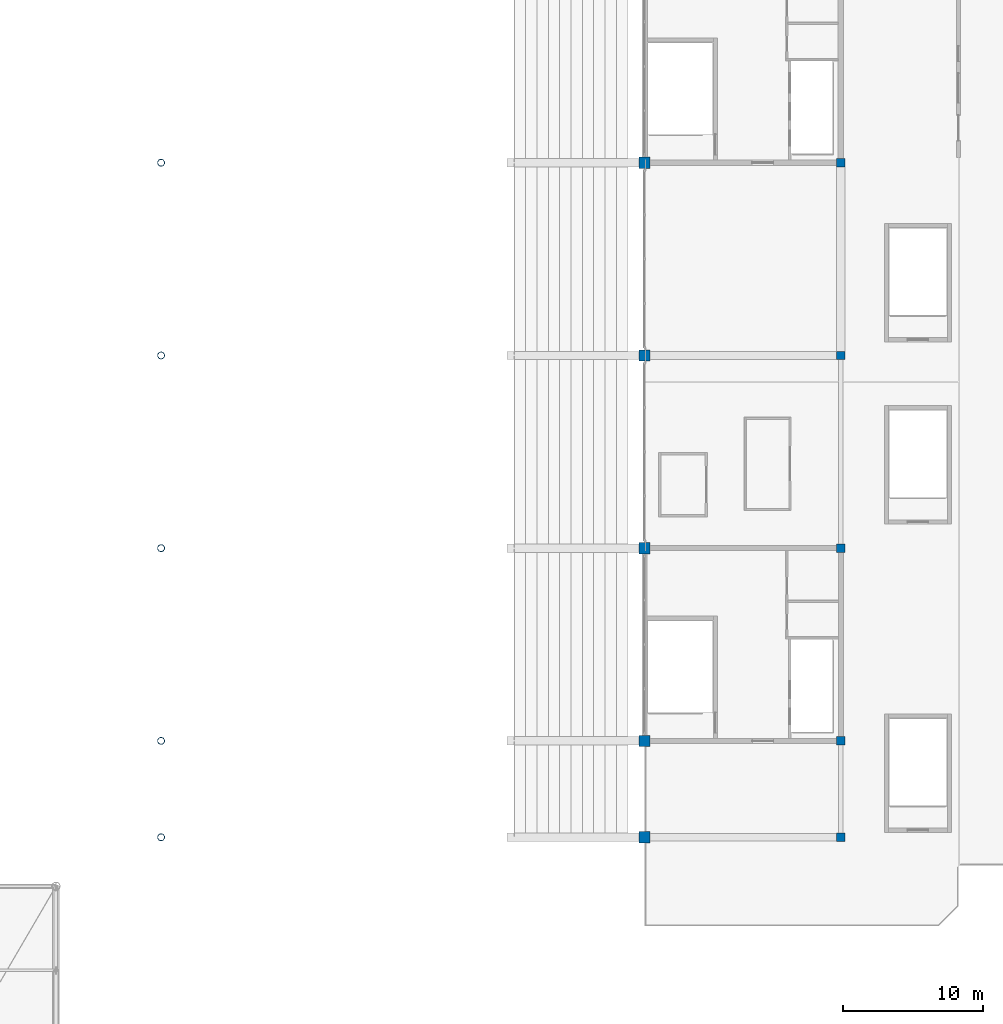
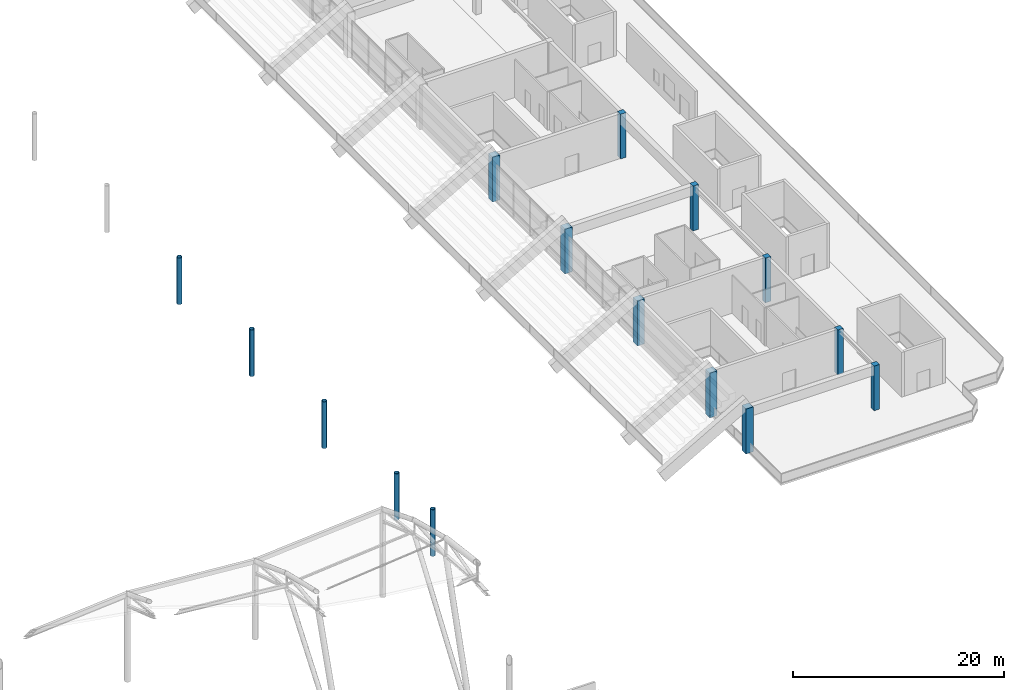
# One storey, part 6 of 90: 15 columns.
"""IFC4 building model written with IfcOpenShell, lengths in metres."""

from ifc_helpers import new_model, si_unit, direction, frame, origin, origin_2d, place, context, subcontext, project, spatial, rectangle, hollow_circle, extrude, material, material_profile, profile_set, type_object, element, save


model = new_model("IFC4")

# Units and contexts
model_context = context("Model", 3, precision=1e-05, world=origin(), true_north=direction((0.0, 1.0)))
body_context = subcontext(model_context, "Body", "Model", "MODEL_VIEW")
ifc_project = project(units=[si_unit("LENGTHUNIT", "METRE"), si_unit("AREAUNIT", "SQUARE_METRE"), si_unit("VOLUMEUNIT", "CUBIC_METRE"), si_unit("PLANEANGLEUNIT", "RADIAN"), si_unit("MASSUNIT", "GRAM", prefix="KILO")], contexts=[model_context])

# Site, building, storey
site_placement = place(None, origin())
site = spatial("IfcSite", under=ifc_project, at=site_placement, CompositionType="ELEMENT")
building_placement = place(site_placement, origin())
building = spatial("IfcBuilding", under=site, at=building_placement, Name="Linyun Crest Stadium", CompositionType="ELEMENT")
storey_placement = place(building_placement, frame((0.0, 0.0, 21.0)))
storey = spatial("IfcBuildingStorey", under=building, at=storey_placement, Name="L05", CompositionType="ELEMENT", Elevation=21.0)

# Columns
ifc_material_1 = material(Name="Concrete C50", Category="concrete")
ifc_material_profile_1 = material_profile(ifc_material_1, rectangle(XDim=0.60009765625, YDim=0.60009765625, at=origin_2d()), Name="RC 600x600")
ifc_profile_set_1 = profile_set([ifc_material_profile_1], Name="Concrete C50")
column_type_1 = type_object("IfcColumnType", Name="C01", PredefinedType="COLUMN", material=ifc_profile_set_1)
for number, where, z_axis, x_axis, name in (
    (1, (84.0, -46.0, 0.0), (0.0, 0.0, 1.0), (1.0, 0.0, 0.0), "Column C01 L05 486"),
    (2, (84.0, -39.125, 0.0), (0.0, 0.0, 1.0), (1.0, 0.0, 0.0), "Column C01 L05 492"),
    (3, (84.0, -25.375, 0.0), (0.0, 0.0, 1.0), (1.0, 0.0, 0.0), "Column C01 L05 498"),
    (4, (84.0, -11.625, 0.0), (0.0, 0.0, 1.0), (1.0, 0.0, 0.0), "Column C01 L05 504"),
    (5, (84.0, 2.125, 0.0), (0.0, 0.0, 1.0), (1.0, 0.0, 0.0), "Column C01 L05 510"),
):
    element("IfcColumn", number, at=place(storey_placement, frame(where, z_axis=z_axis, x_axis=x_axis)), inside=storey, type_object=column_type_1, Name=name, PredefinedType="COLUMN", context=body_context, shape_type="SweptSolid", body=[
        extrude(rectangle(XDim=0.60009765625, YDim=0.60009765625, at=origin_2d()), origin(), (0.0, 0.0, 1.0), 5.18505859375),
    ])
ifc_material_2 = material(Name="Concrete C50", Category="concrete")
ifc_material_profile_2 = material_profile(ifc_material_2, rectangle(XDim=0.800048828125, YDim=0.800048828125, at=origin_2d()), Name="RC 800x800")
ifc_profile_set_2 = profile_set([ifc_material_profile_2], Name="Concrete C50")
column_type_2 = type_object("IfcColumnType", Name="C03", PredefinedType="COLUMN", material=ifc_profile_set_2)
for number, where, z_axis, x_axis, name in (
    (6, (70.0, -46.0, 0.0), (0.0, 0.0, 1.0), (1.0, 0.0, 0.0), "Column C03 L05 398"),
    (7, (70.0, -39.125, 0.0), (0.0, 0.0, 1.0), (1.0, 0.0, 0.0), "Column C03 L05 404"),
    (8, (70.0, -25.375, 0.0), (0.0, 0.0, 1.0), (1.0, 0.0, 0.0), "Column C03 L05 410"),
    (9, (70.0, -11.625, 0.0), (0.0, 0.0, 1.0), (1.0, 0.0, 0.0), "Column C03 L05 416"),
    (10, (70.0, 2.125, 0.0), (0.0, 0.0, 1.0), (1.0, 0.0, 0.0), "Column C03 L05 422"),
):
    element("IfcColumn", number, at=place(storey_placement, frame(where, z_axis=z_axis, x_axis=x_axis)), inside=storey, type_object=column_type_2, Name=name, PredefinedType="COLUMN", context=body_context, shape_type="SweptSolid", body=[
        extrude(rectangle(XDim=0.800048828125, YDim=0.800048828125, at=origin_2d()), origin(), (0.0, 0.0, 1.0), 5.18505859375),
    ])
ifc_material_3 = material(Name="Steel Q355C", Category="steel")
ifc_material_profile_3 = material_profile(ifc_material_3, hollow_circle(Radius=0.25390625, WallThickness=0.02490234375, at=origin_2d()), Name="CHS 508x25")
ifc_profile_set_3 = profile_set([ifc_material_profile_3], Name="Steel Q355C")
column_type_3 = type_object("IfcColumnType", Name="SC05", PredefinedType="COLUMN", material=ifc_profile_set_3)
for number, where, z_axis, x_axis, name in (
    (11, (35.5, -46.0, 0.0), (0.0, 0.0, 1.0), (1.0, 0.0, 0.0), "Arch colonnade column SC05 L05 18"),
    (12, (35.5, -39.125, 0.0), (0.0, 0.0, 1.0), (1.0, 0.0, 0.0), "Arch colonnade column SC05 L05 20"),
    (13, (35.5, -25.375, 0.0), (0.0, 0.0, 1.0), (1.0, 0.0, 0.0), "Arch colonnade column SC05 L05 22"),
    (14, (35.5, -11.625, 0.0), (0.0, 0.0, 1.0), (1.0, 0.0, 0.0), "Arch colonnade column SC05 L05 24"),
    (15, (35.5, 2.125, 0.0), (0.0, 0.0, 1.0), (1.0, 0.0, 0.0), "Arch colonnade column SC05 L05 26"),
):
    element("IfcColumn", number, at=place(storey_placement, frame(where, z_axis=z_axis, x_axis=x_axis)), inside=storey, type_object=column_type_3, Name=name, PredefinedType="COLUMN", context=body_context, shape_type="SweptSolid", body=[
        extrude(hollow_circle(Radius=0.25390625, WallThickness=0.02490234375, at=origin_2d()), origin(), (0.0, 0.0, 1.0), 5.39990234375),
    ])

save(model, "model.ifc")
